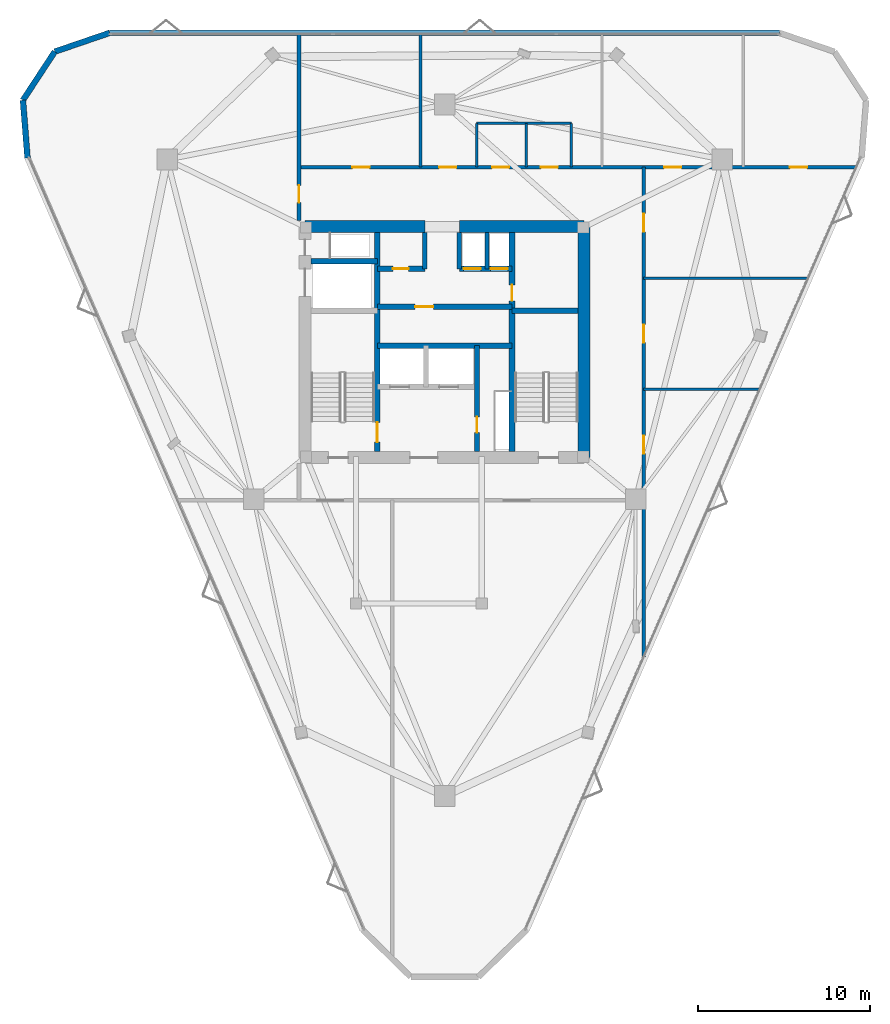
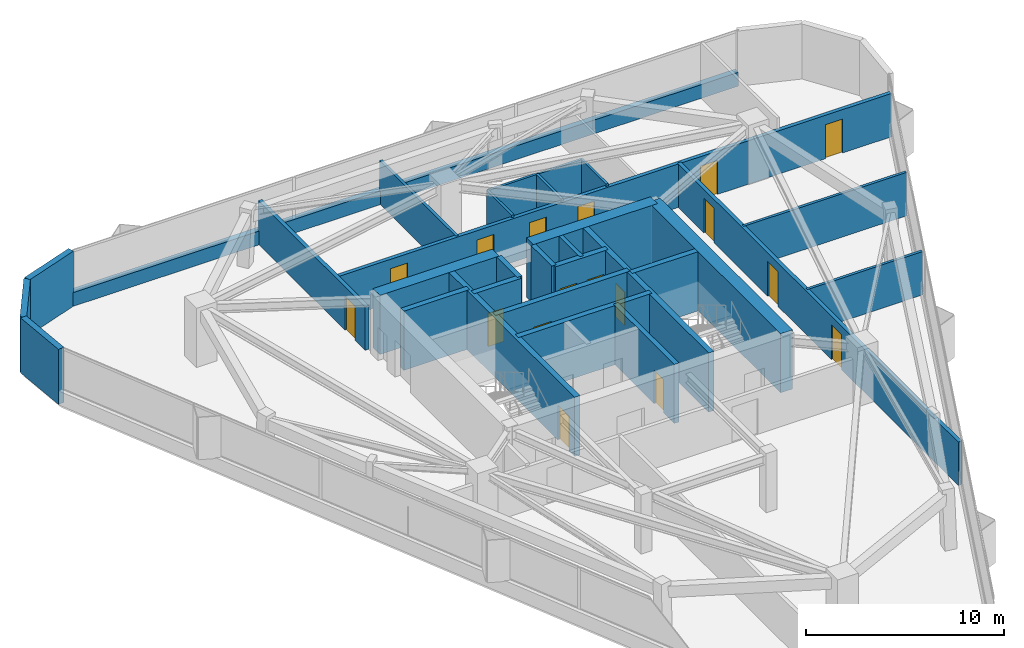
# One storey, part 8 of 10: 29 walls, 17 doors, 17 openings.
"""IFC4 building model written with IfcOpenShell, lengths in metres."""

from ifc_helpers import new_model, si_unit, direction, frame, frame_2d, origin, place, context, subcontext, project, spatial, rectangle, extrude, material, layer, layer_set, type_object, element, fill, save


model = new_model("IFC4")

# Units and contexts
model_context = context("Model", 3, precision=1e-05, world=origin(), true_north=direction((0.0, 1.0)))
body_context = subcontext(model_context, "Body", "Model", "MODEL_VIEW")
ifc_project = project(units=[si_unit("LENGTHUNIT", "METRE"), si_unit("AREAUNIT", "SQUARE_METRE"), si_unit("VOLUMEUNIT", "CUBIC_METRE"), si_unit("PLANEANGLEUNIT", "RADIAN"), si_unit("MASSUNIT", "GRAM", prefix="KILO")], contexts=[model_context])

# Site, building, storey
site_placement = place(None, origin())
site = spatial("IfcSite", under=ifc_project, at=site_placement, CompositionType="ELEMENT")
building_placement = place(site_placement, origin())
building = spatial("IfcBuilding", under=site, at=building_placement, Name="Talyreon Biosciences Tower", CompositionType="ELEMENT")
storey_placement = place(building_placement, frame((0.0, 0.0, 231.60009765625)))
storey = spatial("IfcBuildingStorey", under=building, at=storey_placement, Name="L61", CompositionType="ELEMENT", Elevation=231.60009765625)

# Walls
ifc_material_1 = material(Name="Concrete C50/60", Category="concrete")
ifc_layer_1 = layer(ifc_material_1, 0.219970703125)
ifc_layer_set_1 = layer_set([ifc_layer_1], Name="Concrete C50/60")
wall_type_1 = type_object("IfcWallType", Name="CoreShearWall_220", PredefinedType="SHEAR", material=ifc_layer_set_1)
wall_1_placement = place(storey_placement, frame((68.4599609375, 72.25, 0.0), z_axis=(0.0, 0.0, 1.0), x_axis=(0.0, 1.0, 0.0)))
element("IfcWall", 1, at=wall_1_placement, inside=storey, type_object=wall_type_1, Name="L61 Core Shaft Wall SWPHD", PredefinedType="SHEAR", context=body_context, shape_type="SweptSolid", body=[
    extrude(rectangle(XDim=2.10009765625, YDim=0.219970703125, at=frame_2d((1.050048828125, 0.0))), origin(), (0.0, 0.0, 1.0), 3.64990234375),
])
ifc_layer_2 = layer(ifc_material_1, 0.280029296875)
ifc_layer_set_2 = layer_set([ifc_layer_2], Name="Concrete C50/60")
wall_type_2 = type_object("IfcWallType", Name="CoreShearWall_280", PredefinedType="SHEAR", material=ifc_layer_set_2)
for number, where, z_axis, x_axis, name in (
    (2, (64.85009765625, 72.25, 0.0), (0.0, 0.0, 1.0), (0.0, 1.0, 0.0), "L61 Core Shaft Wall SWTHW"),
    (3, (66.85009765625, 72.25, 0.0), (0.0, 0.0, 1.0), (0.0, 1.0, 0.0), "L61 Core Shaft Wall SWTHE"),
):
    element("IfcWall", number, at=place(storey_placement, frame(where, z_axis=z_axis, x_axis=x_axis)), inside=storey, type_object=wall_type_2, Name=name, PredefinedType="SHEAR", context=body_context, shape_type="SweptSolid", body=[
        extrude(rectangle(XDim=2.10009765625, YDim=0.280029296875, at=frame_2d((1.050048828125, 0.0))), origin(), (0.0, 0.0, 1.0), 3.64990234375),
    ])

# Wall, opening, door
wall_2_placement = place(storey_placement, frame((67.8798828125, 61.64990234375, 0.0), z_axis=(0.0, 0.0, 1.0), x_axis=(0.0, 1.0, 0.0)))
wall_2 = element("IfcWall", 4, at=wall_2_placement, inside=storey, type_object=wall_type_2, Name="L61 Core Shaft Wall SWFFE", PredefinedType="SHEAR", context=body_context, shape_type="SweptSolid", body=[
    extrude(rectangle(XDim=6.150146484375, YDim=0.280029296875, at=frame_2d((3.0751953125, 0.0))), origin(), (0.0, 0.0, 1.0), 3.64990234375),
])
opening_1_placement = place(wall_2_placement, frame((1.10009765625, 0.0, 0.0)))
opening_1 = element("IfcOpeningElement", 5, at=opening_1_placement, cuts=wall_2, Name="Opening DR-L61-RSE", PredefinedType="OPENING", context=body_context, shape_type="SweptSolid", body=[
    extrude(rectangle(XDim=0.919921875, YDim=2.050048828125, at=frame_2d((0.4599609375, 1.02490234375))), frame((0.0, 0.14990234375, 0.0), z_axis=(0.0, -1.0, 0.0), x_axis=(1.0, 0.0, 0.0)), (0.0, 0.0, 1.0), 0.300048828125),
])
ifc_material_2 = material(Name="Painted steel fire-rated riser door", Category="steel")
door_type_1 = type_object("IfcDoorType", Name="RiserPlantAccessDoor_920x2050", OperationType="NOTDEFINED", PredefinedType="DOOR", material=ifc_material_2)
door_1_placement = place(opening_1_placement, origin())
door_1 = element("IfcDoor", 6, at=door_1_placement, inside=storey, type_object=door_type_1, Name="L61 Core Door DR-L61-RSE", OperationType="SINGLE_SWING_RIGHT", OverallHeight=2.050048828125, OverallWidth=0.919921875, PredefinedType="DOOR", context=body_context, shape_type="SweptSolid", body=[
    extrude(rectangle(XDim=0.919921875, YDim=2.050048828125, at=frame_2d((0.4599609375, 1.02490234375))), frame((0.0, 0.02490234375, 0.0), z_axis=(0.0, -1.0, 0.0), x_axis=(1.0, 0.0, 0.0)), (0.0, 0.0, 1.0), 0.050048828125),
])
fill(opening_1, door_1)

ifc_layer_3 = layer(ifc_material_1, 0.320068359375)
ifc_layer_set_3 = layer_set([ifc_layer_3], Name="Concrete C50/60")
wall_type_3 = type_object("IfcWallType", Name="CoreShearWall_320", PredefinedType="SHEAR", material=ifc_layer_set_3)
wall_3_placement = place(storey_placement, frame((62.090087890625, 61.64990234375, 0.0), z_axis=(0.0, 0.0, 1.0), x_axis=(0.0, 1.0, 0.0)))
wall_3 = element("IfcWall", 7, at=wall_3_placement, inside=storey, type_object=wall_type_3, Name="L61 Core Shaft Wall SW1E", PredefinedType="SHEAR", context=body_context, shape_type="SweptSolid", body=[
    extrude(rectangle(XDim=12.7001953125, YDim=0.320068359375, at=frame_2d((6.35009765625, 0.0))), origin(), (0.0, 0.0, 1.0), 3.64990234375),
])
opening_2_placement = place(wall_3_placement, frame((0.550048828125, 0.0, 0.0)))
opening_2 = element("IfcOpeningElement", 8, at=opening_2_placement, cuts=wall_3, Name="Opening DR-L61-FF-ST1", PredefinedType="OPENING", context=body_context, shape_type="SweptSolid", body=[
    extrude(rectangle(XDim=1.14990234375, YDim=2.14990234375, at=frame_2d((0.574951171875, 1.074951171875))), frame((0.0, 0.169921875, 0.0), z_axis=(0.0, -1.0, 0.0), x_axis=(1.0, 0.0, 0.0)), (0.0, 0.0, 1.0), 0.340087890625),
])
ifc_material_3 = material(Name="Painted steel fire door", Category="steel")
door_type_2 = type_object("IfcDoorType", Name="StairShaftFireDoor_1150x2150", OperationType="NOTDEFINED", PredefinedType="DOOR", material=ifc_material_3)
door_2_placement = place(opening_2_placement, origin())
door_2 = element("IfcDoor", 9, at=door_2_placement, inside=storey, type_object=door_type_2, Name="L61 Core Door DR-L61-FF-ST1", OperationType="SINGLE_SWING_LEFT", OverallHeight=2.14990234375, OverallWidth=1.14990234375, PredefinedType="DOOR", context=body_context, shape_type="SweptSolid", body=[
    extrude(rectangle(XDim=1.14990234375, YDim=2.14990234375, at=frame_2d((0.574951171875, 1.074951171875))), frame((0.0, 0.02490234375, 0.0), z_axis=(0.0, -1.0, 0.0), x_axis=(1.0, 0.0, 0.0)), (0.0, 0.0, 1.0), 0.050048828125),
])
fill(opening_2, door_2)

wall_4_placement = place(storey_placement, frame((69.909912109375, 61.64990234375, 0.0), z_axis=(0.0, 0.0, 1.0), x_axis=(0.0, 1.0, 0.0)))
wall_4 = element("IfcWall", 10, at=wall_4_placement, inside=storey, type_object=wall_type_3, Name="L61 Core Shaft Wall SW2W", PredefinedType="SHEAR", context=body_context, shape_type="SweptSolid", body=[
    extrude(rectangle(XDim=12.7001953125, YDim=0.320068359375, at=frame_2d((6.35009765625, 0.0))), origin(), (0.0, 0.0, 1.0), 3.64990234375),
])
opening_3_placement = place(wall_4_placement, frame((8.75, 0.0, 0.0)))
opening_3 = element("IfcOpeningElement", 11, at=opening_3_placement, cuts=wall_4, Name="Opening DR-L61-CSRV", PredefinedType="OPENING", context=body_context, shape_type="SweptSolid", body=[
    extrude(rectangle(XDim=0.919921875, YDim=2.050048828125, at=frame_2d((0.4599609375, 1.02490234375))), frame((0.0, 0.169921875, 0.0), z_axis=(0.0, -1.0, 0.0), x_axis=(1.0, 0.0, 0.0)), (0.0, 0.0, 1.0), 0.340087890625),
])
door_3_placement = place(opening_3_placement, origin())
door_3 = element("IfcDoor", 12, at=door_3_placement, inside=storey, type_object=door_type_1, Name="L61 Core Door DR-L61-CSRV", OperationType="SINGLE_SWING_RIGHT", OverallHeight=2.050048828125, OverallWidth=0.919921875, PredefinedType="DOOR", context=body_context, shape_type="SweptSolid", body=[
    extrude(rectangle(XDim=0.919921875, YDim=2.050048828125, at=frame_2d((0.4599609375, 1.02490234375))), frame((0.0, 0.02490234375, 0.0), z_axis=(0.0, -1.0, 0.0), x_axis=(1.0, 0.0, 0.0)), (0.0, 0.0, 1.0), 0.050048828125),
])
fill(opening_3, door_3)

# Walls
for number, where, z_axis, x_axis, name in (
    (13, (69.909912109375, 69.81005859375, 0.0), (0.0, 0.0, 1.0), (1.0, 0.0, 0.0), "L61 Core Shaft Wall SW2N"),
    (14, (58.25, 72.699951171875, 0.0), (0.0, 0.0, 1.0), (1.0, 0.0, 0.0), "L61 Core Shaft Wall SWGLN"),
):
    element("IfcWall", number, at=place(storey_placement, frame(where, z_axis=z_axis, x_axis=x_axis)), inside=storey, type_object=wall_type_3, Name=name, PredefinedType="SHEAR", context=body_context, shape_type="SweptSolid", body=[
        extrude(rectangle(XDim=3.840087890625, YDim=0.320068359375, at=frame_2d((1.919921875, 0.0))), origin(), (0.0, 0.0, 1.0), 3.64990234375),
    ])
wall_5_placement = place(storey_placement, frame((62.090087890625, 67.800048828125, 0.0), z_axis=(0.0, 0.0, 1.0), x_axis=(1.0, 0.0, 0.0)))
element("IfcWall", 15, at=wall_5_placement, inside=storey, type_object=wall_type_3, Name="L61 Core Shaft Wall SWSHM", PredefinedType="SHEAR", context=body_context, shape_type="SweptSolid", body=[
    extrude(rectangle(XDim=7.81982421875, YDim=0.320068359375, at=frame_2d((3.909912109375, 0.0))), origin(), (0.0, 0.0, 1.0), 3.64990234375),
])

# Wall, opening, door
wall_6_placement = place(storey_placement, frame((62.090087890625, 70.050048828125, 0.0), z_axis=(0.0, 0.0, 1.0), x_axis=(1.0, 0.0, 0.0)))
wall_6 = element("IfcWall", 16, at=wall_6_placement, inside=storey, type_object=wall_type_3, Name="L61 Core Shaft Wall SWSPN", PredefinedType="SHEAR", context=body_context, shape_type="SweptSolid", body=[
    extrude(rectangle(XDim=7.81982421875, YDim=0.320068359375, at=frame_2d((3.909912109375, 0.0))), origin(), (0.0, 0.0, 1.0), 3.64990234375),
])
opening_4_placement = place(wall_6_placement, frame((2.199951171875, 0.0, 0.0)))
opening_4 = element("IfcOpeningElement", 17, at=opening_4_placement, cuts=wall_6, Name="Opening DR-L61-PLPMFREE", PredefinedType="OPENING", context=body_context, shape_type="SweptSolid", body=[
    extrude(rectangle(XDim=1.050048828125, YDim=2.14990234375, at=frame_2d((0.52490234375, 1.074951171875))), frame((0.0, 0.169921875, 0.0), z_axis=(0.0, -1.0, 0.0), x_axis=(1.0, 0.0, 0.0)), (0.0, 0.0, 1.0), 0.340087890625),
])
ifc_material_4 = material(Name="Acoustic timber-core laboratory door", Category="wood")
door_type_3 = type_object("IfcDoorType", Name="DryLabSingleDoor_1050x2150", OperationType="NOTDEFINED", PredefinedType="DOOR", material=ifc_material_4)
door_4_placement = place(opening_4_placement, origin())
door_4 = element("IfcDoor", 18, at=door_4_placement, inside=storey, type_object=door_type_3, Name="L61 Core Door DR-L61-PLPMFREE", OperationType="SINGLE_SWING_LEFT", OverallHeight=2.14990234375, OverallWidth=1.050048828125, PredefinedType="DOOR", context=body_context, shape_type="SweptSolid", body=[
    extrude(rectangle(XDim=1.050048828125, YDim=2.14990234375, at=frame_2d((0.52490234375, 1.074951171875))), frame((0.0, 0.02490234375, 0.0), z_axis=(0.0, -1.0, 0.0), x_axis=(1.0, 0.0, 0.0)), (0.0, 0.0, 1.0), 0.050048828125),
])
fill(opening_4, door_4)

wall_7_placement = place(storey_placement, frame((62.090087890625, 72.25, 0.0), z_axis=(0.0, 0.0, 1.0), x_axis=(1.0, 0.0, 0.0)))
wall_7 = element("IfcWall", 19, at=wall_7_placement, inside=storey, type_object=wall_type_3, Name="L61 Core Shaft Wall SWNPW", PredefinedType="SHEAR", context=body_context, shape_type="SweptSolid", body=[
    extrude(rectangle(XDim=2.760009765625, YDim=0.320068359375, at=frame_2d((1.3798828125, 0.0))), origin(), (0.0, 0.0, 1.0), 3.64990234375),
])
opening_5_placement = place(wall_7_placement, frame((0.89990234375, 0.0, 0.0)))
opening_5 = element("IfcOpeningElement", 20, at=opening_5_placement, cuts=wall_7, Name="Opening DR-L61-PM2FREE", PredefinedType="OPENING", context=body_context, shape_type="SweptSolid", body=[
    extrude(rectangle(XDim=0.919921875, YDim=2.050048828125, at=frame_2d((0.4599609375, 1.02490234375))), frame((0.0, 0.169921875, 0.0), z_axis=(0.0, -1.0, 0.0), x_axis=(1.0, 0.0, 0.0)), (0.0, 0.0, 1.0), 0.340087890625),
])
door_5_placement = place(opening_5_placement, origin())
door_5 = element("IfcDoor", 21, at=door_5_placement, inside=storey, type_object=door_type_1, Name="L61 Core Door DR-L61-PM2FREE", OperationType="SINGLE_SWING_RIGHT", OverallHeight=2.050048828125, OverallWidth=0.919921875, PredefinedType="DOOR", context=body_context, shape_type="SweptSolid", body=[
    extrude(rectangle(XDim=0.919921875, YDim=2.050048828125, at=frame_2d((0.4599609375, 1.02490234375))), frame((0.0, 0.02490234375, 0.0), z_axis=(0.0, -1.0, 0.0), x_axis=(1.0, 0.0, 0.0)), (0.0, 0.0, 1.0), 0.050048828125),
])
fill(opening_5, door_5)

# Wall, openings, doors
wall_8_placement = place(storey_placement, frame((66.85009765625, 72.25, 0.0), z_axis=(0.0, 0.0, 1.0), x_axis=(1.0, 0.0, 0.0)))
wall_8 = element("IfcWall", 22, at=wall_8_placement, inside=storey, type_object=wall_type_3, Name="L61 Core Shaft Wall SWNPE", PredefinedType="SHEAR", context=body_context, shape_type="SweptSolid", body=[
    extrude(rectangle(XDim=3.059814453125, YDim=0.320068359375, at=frame_2d((1.52978515625, 0.0))), origin(), (0.0, 0.0, 1.0), 3.64990234375),
])
opening_6_placement = place(wall_8_placement, frame((0.25, 0.0, 0.0)))
opening_6 = element("IfcOpeningElement", 23, at=opening_6_placement, cuts=wall_8, Name="Opening LD-L61-PH1", PredefinedType="OPENING", context=body_context, shape_type="SweptSolid", body=[
    extrude(rectangle(XDim=1.0, YDim=2.199951171875, at=frame_2d((0.5, 1.10009765625))), frame((0.0, 0.169921875, 0.0), z_axis=(0.0, -1.0, 0.0), x_axis=(1.0, 0.0, 0.0)), (0.0, 0.0, 1.0), 0.340087890625),
])
opening_7_placement = place(wall_8_placement, frame((1.820068359375, 0.0, 0.0)))
opening_7 = element("IfcOpeningElement", 24, at=opening_7_placement, cuts=wall_8, Name="Opening LD-L61-PH2", PredefinedType="OPENING", context=body_context, shape_type="SweptSolid", body=[
    extrude(rectangle(XDim=1.0, YDim=2.199951171875, at=frame_2d((0.5, 1.10009765625))), frame((0.0, 0.169921875, 0.0), z_axis=(0.0, -1.0, 0.0), x_axis=(1.0, 0.0, 0.0)), (0.0, 0.0, 1.0), 0.340087890625),
])
ifc_material_5 = material(Name="Brushed stainless-steel lift landing door", Category="steel")
door_type_4 = type_object("IfcDoorType", Name="LiftSlidingLandingDoor_1100x2200", OperationType="SLIDING_TO_LEFT", PredefinedType="DOOR", material=ifc_material_5)
door_6_placement = place(opening_6_placement, origin())
door_6 = element("IfcDoor", 25, at=door_6_placement, inside=storey, type_object=door_type_4, Name="L61 Core Door LD-L61-PH1", OperationType="SLIDING_TO_LEFT", OverallHeight=2.199951171875, OverallWidth=1.0, PredefinedType="DOOR", context=body_context, shape_type="SweptSolid", body=[
    extrude(rectangle(XDim=1.0, YDim=2.199951171875, at=frame_2d((0.5, 1.10009765625))), frame((0.0, 0.02490234375, 0.0), z_axis=(0.0, -1.0, 0.0), x_axis=(1.0, 0.0, 0.0)), (0.0, 0.0, 1.0), 0.050048828125),
])
fill(opening_6, door_6)
door_7_placement = place(opening_7_placement, origin())
door_7 = element("IfcDoor", 26, at=door_7_placement, inside=storey, type_object=door_type_4, Name="L61 Core Door LD-L61-PH2", OperationType="SLIDING_TO_LEFT", OverallHeight=2.199951171875, OverallWidth=1.0, PredefinedType="DOOR", context=body_context, shape_type="SweptSolid", body=[
    extrude(rectangle(XDim=1.0, YDim=2.199951171875, at=frame_2d((0.5, 1.10009765625))), frame((0.0, 0.02490234375, 0.0), z_axis=(0.0, -1.0, 0.0), x_axis=(1.0, 0.0, 0.0)), (0.0, 0.0, 1.0), 0.050048828125),
])
fill(opening_7, door_7)

# Walls
ifc_layer_4 = layer(ifc_material_1, 0.699951171875)
ifc_layer_set_4 = layer_set([ifc_layer_4], Name="Concrete C50/60")
wall_type_4 = type_object("IfcWallType", Name="CoreShearWall_700", PredefinedType="SHEAR", material=ifc_layer_set_4)
wall_9_placement = place(storey_placement, frame((74.10009765625, 61.300048828125, 0.0), z_axis=(0.0, 0.0, 1.0), x_axis=(0.0, 1.0, 0.0)))
element("IfcWall", 27, at=wall_9_placement, inside=storey, type_object=wall_type_4, Name="L61 Core Shear Wall E", PredefinedType="SHEAR", context=body_context, shape_type="SweptSolid", body=[
    extrude(rectangle(XDim=13.39990234375, YDim=0.699951171875, at=frame_2d((6.699951171875, 0.0))), origin(), (0.0, 0.0, 1.0), 3.64990234375),
])
wall_10_placement = place(storey_placement, frame((74.10009765625, 74.699951171875, 0.0), z_axis=(0.0, 0.0, 1.0), x_axis=(-1.0, 0.0, 0.0)))
element("IfcWall", 28, at=wall_10_placement, inside=storey, type_object=wall_type_4, Name="L61 Core Shear Wall NE", PredefinedType="SHEAR", context=body_context, shape_type="SweptSolid", body=[
    extrude(rectangle(XDim=7.25, YDim=0.699951171875, at=frame_2d((3.625, 0.0))), origin(), (0.0, 0.0, 1.0), 3.64990234375),
])
wall_11_placement = place(storey_placement, frame((64.85009765625, 74.699951171875, 0.0), z_axis=(0.0, 0.0, 1.0), x_axis=(-1.0, 0.0, 0.0)))
element("IfcWall", 29, at=wall_11_placement, inside=storey, type_object=wall_type_4, Name="L61 Core Shear Wall NW", PredefinedType="SHEAR", context=body_context, shape_type="SweptSolid", body=[
    extrude(rectangle(XDim=6.9501953125, YDim=0.699951171875, at=frame_2d((3.47509765625, 0.0))), origin(), (0.0, 0.0, 1.0), 3.64990234375),
])

# Wall, openings, doors
ifc_material_6 = material(Name="Gypsum fireboard acoustic stud", Category="gypsum")
ifc_layer_5 = layer(ifc_material_6, 0.219970703125)
ifc_layer_set_5 = layer_set([ifc_layer_5], Name="Gypsum fireboard acoustic stud")
wall_type_5 = type_object("IfcWallType", Name="CorridorRatedPartition_220", PredefinedType="PARTITIONING", material=ifc_layer_set_5)
wall_12_placement = place(storey_placement, frame((57.550048828125, 78.14990234375, 0.0), z_axis=(0.0, 0.0, 1.0), x_axis=(1.0, 0.0, 0.0)))
wall_12 = element("IfcWall", 30, at=wall_12_placement, inside=storey, type_object=wall_type_5, Name="L61 Interior Wall IW-L61-COR-N", PredefinedType="PARTITIONING", context=body_context, shape_type="SweptSolid", body=[
    extrude(rectangle(XDim=32.33154296875, YDim=0.219970703125, at=frame_2d((16.165771484375, 0.0))), origin(), (0.0, 0.0, 1.0), 2.679931640625),
])
opening_8_placement = place(wall_12_placement, frame((11.2099609375, 0.0, 0.0)))
opening_8 = element("IfcOpeningElement", 31, at=opening_8_placement, cuts=wall_12, Name="Opening DR-L61-WC", PredefinedType="OPENING", context=body_context, shape_type="SweptSolid", body=[
    extrude(rectangle(XDim=0.97998046875, YDim=2.10009765625, at=frame_2d((0.489990234375, 1.050048828125))), frame((0.0, 0.119873046875, 0.0), z_axis=(0.0, -1.0, 0.0), x_axis=(1.0, 0.0, 0.0)), (0.0, 0.0, 1.0), 0.239990234375),
])
opening_9_placement = place(wall_12_placement, frame((14.034912109375, 0.0, 0.0)))
opening_9 = element("IfcOpeningElement", 32, at=opening_9_placement, cuts=wall_12, Name="Opening DR-L61-AWC", PredefinedType="OPENING", context=body_context, shape_type="SweptSolid", body=[
    extrude(rectangle(XDim=0.97998046875, YDim=2.10009765625, at=frame_2d((0.489990234375, 1.050048828125))), frame((0.0, 0.119873046875, 0.0), z_axis=(0.0, -1.0, 0.0), x_axis=(1.0, 0.0, 0.0)), (0.0, 0.0, 1.0), 0.239990234375),
])
opening_10_placement = place(wall_12_placement, frame((3.10009765625, 0.0, 0.0)))
opening_10 = element("IfcOpeningElement", 33, at=opening_10_placement, cuts=wall_12, Name="Opening DR-L61-N1A", PredefinedType="OPENING", context=body_context, shape_type="SweptSolid", body=[
    extrude(rectangle(XDim=1.0, YDim=2.10009765625, at=frame_2d((0.5, 1.050048828125))), frame((0.0, 0.119873046875, 0.0), z_axis=(0.0, -1.0, 0.0), x_axis=(1.0, 0.0, 0.0)), (0.0, 0.0, 1.0), 0.239990234375),
])
opening_11_placement = place(wall_12_placement, frame((8.135009765625, 0.0, 0.0)))
opening_11 = element("IfcOpeningElement", 34, at=opening_11_placement, cuts=wall_12, Name="Opening DR-L61-N2A", PredefinedType="OPENING", context=body_context, shape_type="SweptSolid", body=[
    extrude(rectangle(XDim=1.0, YDim=2.10009765625, at=frame_2d((0.5, 1.050048828125))), frame((0.0, 0.119873046875, 0.0), z_axis=(0.0, -1.0, 0.0), x_axis=(1.0, 0.0, 0.0)), (0.0, 0.0, 1.0), 0.239990234375),
])
opening_12_placement = place(wall_12_placement, frame((21.18701171875, 0.0, 0.0)))
opening_12 = element("IfcOpeningElement", 35, at=opening_12_placement, cuts=wall_12, Name="Opening DR-L61-N3A", PredefinedType="OPENING", context=body_context, shape_type="SweptSolid", body=[
    extrude(rectangle(XDim=1.0, YDim=2.10009765625, at=frame_2d((0.5, 1.050048828125))), frame((0.0, 0.119873046875, 0.0), z_axis=(0.0, -1.0, 0.0), x_axis=(1.0, 0.0, 0.0)), (0.0, 0.0, 1.0), 0.239990234375),
])
opening_13_placement = place(wall_12_placement, frame((28.48291015625, 0.0, 0.0)))
opening_13 = element("IfcOpeningElement", 36, at=opening_13_placement, cuts=wall_12, Name="Opening DR-L61-N4A", PredefinedType="OPENING", context=body_context, shape_type="SweptSolid", body=[
    extrude(rectangle(XDim=1.0, YDim=2.10009765625, at=frame_2d((0.5, 1.050048828125))), frame((0.0, 0.119873046875, 0.0), z_axis=(0.0, -1.0, 0.0), x_axis=(1.0, 0.0, 0.0)), (0.0, 0.0, 1.0), 0.239990234375),
])
ifc_material_7 = material(Name="Laminate moisture-resistant door", Category="wood")
door_type_5 = type_object("IfcDoorType", Name="AccessibleToiletDoor_980x2100", OperationType="NOTDEFINED", PredefinedType="DOOR", material=ifc_material_7)
door_8_placement = place(opening_8_placement, origin())
door_8 = element("IfcDoor", 37, at=door_8_placement, inside=storey, type_object=door_type_5, Name="L61 Interior Door DR-L61-WC", OperationType="SINGLE_SWING_LEFT", OverallHeight=2.10009765625, OverallWidth=0.97998046875, PredefinedType="DOOR", context=body_context, shape_type="SweptSolid", body=[
    extrude(rectangle(XDim=0.97998046875, YDim=2.10009765625, at=frame_2d((0.489990234375, 1.050048828125))), frame((0.0, 0.02490234375, 0.0), z_axis=(0.0, -1.0, 0.0), x_axis=(1.0, 0.0, 0.0)), (0.0, 0.0, 1.0), 0.050048828125),
])
fill(opening_8, door_8)
door_9_placement = place(opening_9_placement, origin())
door_9 = element("IfcDoor", 38, at=door_9_placement, inside=storey, type_object=door_type_5, Name="L61 Interior Door DR-L61-AWC", OperationType="SINGLE_SWING_LEFT", OverallHeight=2.10009765625, OverallWidth=0.97998046875, PredefinedType="DOOR", context=body_context, shape_type="SweptSolid", body=[
    extrude(rectangle(XDim=0.97998046875, YDim=2.10009765625, at=frame_2d((0.489990234375, 1.050048828125))), frame((0.0, 0.02490234375, 0.0), z_axis=(0.0, -1.0, 0.0), x_axis=(1.0, 0.0, 0.0)), (0.0, 0.0, 1.0), 0.050048828125),
])
fill(opening_9, door_9)
ifc_material_8 = material(Name="Acoustic oak veneer office door", Category="wood")
door_type_6 = type_object("IfcDoorType", Name="WriteupOfficeDoor_1000x2100", OperationType="NOTDEFINED", PredefinedType="DOOR", material=ifc_material_8)
door_10_placement = place(opening_10_placement, origin())
door_10 = element("IfcDoor", 39, at=door_10_placement, inside=storey, type_object=door_type_6, Name="L61 Interior Door DR-L61-N1A", OperationType="SINGLE_SWING_LEFT", OverallHeight=2.10009765625, OverallWidth=1.0, PredefinedType="DOOR", context=body_context, shape_type="SweptSolid", body=[
    extrude(rectangle(XDim=1.0, YDim=2.10009765625, at=frame_2d((0.5, 1.050048828125))), frame((0.0, 0.02490234375, 0.0), z_axis=(0.0, -1.0, 0.0), x_axis=(1.0, 0.0, 0.0)), (0.0, 0.0, 1.0), 0.050048828125),
])
fill(opening_10, door_10)
door_11_placement = place(opening_11_placement, origin())
door_11 = element("IfcDoor", 40, at=door_11_placement, inside=storey, type_object=door_type_6, Name="L61 Interior Door DR-L61-N2A", OperationType="SINGLE_SWING_RIGHT", OverallHeight=2.10009765625, OverallWidth=1.0, PredefinedType="DOOR", context=body_context, shape_type="SweptSolid", body=[
    extrude(rectangle(XDim=1.0, YDim=2.10009765625, at=frame_2d((0.5, 1.050048828125))), frame((0.0, 0.02490234375, 0.0), z_axis=(0.0, -1.0, 0.0), x_axis=(1.0, 0.0, 0.0)), (0.0, 0.0, 1.0), 0.050048828125),
])
fill(opening_11, door_11)
door_12_placement = place(opening_12_placement, origin())
door_12 = element("IfcDoor", 41, at=door_12_placement, inside=storey, type_object=door_type_6, Name="L61 Interior Door DR-L61-N3A", OperationType="SINGLE_SWING_LEFT", OverallHeight=2.10009765625, OverallWidth=1.0, PredefinedType="DOOR", context=body_context, shape_type="SweptSolid", body=[
    extrude(rectangle(XDim=1.0, YDim=2.10009765625, at=frame_2d((0.5, 1.050048828125))), frame((0.0, 0.02490234375, 0.0), z_axis=(0.0, -1.0, 0.0), x_axis=(1.0, 0.0, 0.0)), (0.0, 0.0, 1.0), 0.050048828125),
])
fill(opening_12, door_12)
door_13_placement = place(opening_13_placement, origin())
door_13 = element("IfcDoor", 42, at=door_13_placement, inside=storey, type_object=door_type_6, Name="L61 Interior Door DR-L61-N4A", OperationType="SINGLE_SWING_RIGHT", OverallHeight=2.10009765625, OverallWidth=1.0, PredefinedType="DOOR", context=body_context, shape_type="SweptSolid", body=[
    extrude(rectangle(XDim=1.0, YDim=2.10009765625, at=frame_2d((0.5, 1.050048828125))), frame((0.0, 0.02490234375, 0.0), z_axis=(0.0, -1.0, 0.0), x_axis=(1.0, 0.0, 0.0)), (0.0, 0.0, 1.0), 0.050048828125),
])
fill(opening_13, door_13)

# Wall, opening, door
wall_13_placement = place(storey_placement, frame((57.550048828125, 75.050048828125, 0.0), z_axis=(0.0, 0.0, 1.0), x_axis=(0.0, 1.0, 0.0)))
wall_13 = element("IfcWall", 43, at=wall_13_placement, inside=storey, type_object=wall_type_5, Name="L61 Interior Wall IW-L61-WCAP-N", PredefinedType="PARTITIONING", context=body_context, shape_type="SweptSolid", body=[
    extrude(rectangle(XDim=10.81640625, YDim=0.219970703125, at=frame_2d((5.408203125, 0.0))), origin(), (0.0, 0.0, 1.0), 2.679931640625),
])
opening_14_placement = place(wall_13_placement, frame((1.050048828125, 0.0, 0.0)))
opening_14 = element("IfcOpeningElement", 44, at=opening_14_placement, cuts=wall_13, Name="Opening DR-L61-W1A", PredefinedType="OPENING", context=body_context, shape_type="SweptSolid", body=[
    extrude(rectangle(XDim=1.0, YDim=2.10009765625, at=frame_2d((0.5, 1.050048828125))), frame((0.0, 0.119873046875, 0.0), z_axis=(0.0, -1.0, 0.0), x_axis=(1.0, 0.0, 0.0)), (0.0, 0.0, 1.0), 0.239990234375),
])
door_14_placement = place(opening_14_placement, origin())
door_14 = element("IfcDoor", 45, at=door_14_placement, inside=storey, type_object=door_type_6, Name="L61 Interior Door DR-L61-W1A", OperationType="SINGLE_SWING_LEFT", OverallHeight=2.10009765625, OverallWidth=1.0, PredefinedType="DOOR", context=body_context, shape_type="SweptSolid", body=[
    extrude(rectangle(XDim=1.0, YDim=2.10009765625, at=frame_2d((0.5, 1.050048828125))), frame((0.0, 0.02490234375, 0.0), z_axis=(0.0, -1.0, 0.0), x_axis=(1.0, 0.0, 0.0)), (0.0, 0.0, 1.0), 0.050048828125),
])
fill(opening_14, door_14)

# Wall, openings, doors
wall_14_placement = place(storey_placement, frame((77.550048828125, 49.7353515625, 0.0), z_axis=(0.0, 0.0, 1.0), x_axis=(0.0, 1.0, 0.0)))
wall_14 = element("IfcWall", 46, at=wall_14_placement, inside=storey, type_object=wall_type_5, Name="L61 Interior Wall IW-L61-COR-E", PredefinedType="PARTITIONING", context=body_context, shape_type="SweptSolid", body=[
    extrude(rectangle(XDim=28.41455078125, YDim=0.219970703125, at=frame_2d((14.207275390625, 0.0))), origin(), (0.0, 0.0, 1.0), 2.679931640625),
])
opening_15_placement = place(wall_14_placement, frame((11.7900390625, 0.0, 0.0)))
opening_15 = element("IfcOpeningElement", 47, at=opening_15_placement, cuts=wall_14, Name="Opening DR-L61-E1A", PredefinedType="OPENING", context=body_context, shape_type="SweptSolid", body=[
    extrude(rectangle(XDim=1.050048828125, YDim=2.14990234375, at=frame_2d((0.52490234375, 1.074951171875))), frame((0.0, 0.119873046875, 0.0), z_axis=(0.0, -1.0, 0.0), x_axis=(1.0, 0.0, 0.0)), (0.0, 0.0, 1.0), 0.239990234375),
])
opening_16_placement = place(wall_14_placement, frame((18.22998046875, 0.0, 0.0)))
opening_16 = element("IfcOpeningElement", 48, at=opening_16_placement, cuts=wall_14, Name="Opening DR-L61-E2A", PredefinedType="OPENING", context=body_context, shape_type="SweptSolid", body=[
    extrude(rectangle(XDim=1.050048828125, YDim=2.14990234375, at=frame_2d((0.52490234375, 1.074951171875))), frame((0.0, 0.119873046875, 0.0), z_axis=(0.0, -1.0, 0.0), x_axis=(1.0, 0.0, 0.0)), (0.0, 0.0, 1.0), 0.239990234375),
])
opening_17_placement = place(wall_14_placement, frame((24.669921875, 0.0, 0.0)))
opening_17 = element("IfcOpeningElement", 49, at=opening_17_placement, cuts=wall_14, Name="Opening DR-L61-E3A", PredefinedType="OPENING", context=body_context, shape_type="SweptSolid", body=[
    extrude(rectangle(XDim=1.050048828125, YDim=2.14990234375, at=frame_2d((0.52490234375, 1.074951171875))), frame((0.0, 0.119873046875, 0.0), z_axis=(0.0, -1.0, 0.0), x_axis=(1.0, 0.0, 0.0)), (0.0, 0.0, 1.0), 0.239990234375),
])
door_15_placement = place(opening_15_placement, origin())
door_15 = element("IfcDoor", 50, at=door_15_placement, inside=storey, type_object=door_type_3, Name="L61 Interior Door DR-L61-E1A", OperationType="SINGLE_SWING_LEFT", OverallHeight=2.14990234375, OverallWidth=1.050048828125, PredefinedType="DOOR", context=body_context, shape_type="SweptSolid", body=[
    extrude(rectangle(XDim=1.050048828125, YDim=2.14990234375, at=frame_2d((0.52490234375, 1.074951171875))), frame((0.0, 0.02490234375, 0.0), z_axis=(0.0, -1.0, 0.0), x_axis=(1.0, 0.0, 0.0)), (0.0, 0.0, 1.0), 0.050048828125),
])
fill(opening_15, door_15)
door_16_placement = place(opening_16_placement, origin())
door_16 = element("IfcDoor", 51, at=door_16_placement, inside=storey, type_object=door_type_3, Name="L61 Interior Door DR-L61-E2A", OperationType="SINGLE_SWING_RIGHT", OverallHeight=2.14990234375, OverallWidth=1.050048828125, PredefinedType="DOOR", context=body_context, shape_type="SweptSolid", body=[
    extrude(rectangle(XDim=1.050048828125, YDim=2.14990234375, at=frame_2d((0.52490234375, 1.074951171875))), frame((0.0, 0.02490234375, 0.0), z_axis=(0.0, -1.0, 0.0), x_axis=(1.0, 0.0, 0.0)), (0.0, 0.0, 1.0), 0.050048828125),
])
fill(opening_16, door_16)
door_17_placement = place(opening_17_placement, origin())
door_17 = element("IfcDoor", 52, at=door_17_placement, inside=storey, type_object=door_type_3, Name="L61 Interior Door DR-L61-E3A", OperationType="SINGLE_SWING_LEFT", OverallHeight=2.14990234375, OverallWidth=1.050048828125, PredefinedType="DOOR", context=body_context, shape_type="SweptSolid", body=[
    extrude(rectangle(XDim=1.050048828125, YDim=2.14990234375, at=frame_2d((0.52490234375, 1.074951171875))), frame((0.0, 0.02490234375, 0.0), z_axis=(0.0, -1.0, 0.0), x_axis=(1.0, 0.0, 0.0)), (0.0, 0.0, 1.0), 0.050048828125),
])
fill(opening_17, door_17)

# Walls
ifc_material_9 = material(Name="Gypsum acoustic stud partition", Category="gypsum")
ifc_layer_6 = layer(ifc_material_9, 0.159912109375)
ifc_layer_set_6 = layer_set([ifc_layer_6], Name="Gypsum acoustic stud partition")
wall_type_6 = type_object("IfcWallType", Name="LabSeparationPartition_160", PredefinedType="PARTITIONING", material=ifc_layer_set_6)
wall_15_placement = place(storey_placement, frame((64.60009765625, 78.14990234375, 0.0), z_axis=(0.0, 0.0, 1.0), x_axis=(0.0, 1.0, 0.0)))
element("IfcWall", 53, at=wall_15_placement, inside=storey, type_object=wall_type_6, Name="L61 Interior Wall IW-L61-NDIV1", PredefinedType="PARTITIONING", context=body_context, shape_type="SweptSolid", body=[
    extrude(rectangle(XDim=7.716552734375, YDim=0.159912109375, at=frame_2d((3.8583984375, 0.0))), origin(), (0.0, 0.0, 1.0), 2.679931640625),
])
wall_16_placement = place(storey_placement, frame((77.550048828125, 65.27001953125, 0.0), z_axis=(0.0, 0.0, 1.0), x_axis=(1.0, 0.0, 0.0)))
element("IfcWall", 54, at=wall_16_placement, inside=storey, type_object=wall_type_6, Name="L61 Interior Wall IW-L61-EDIV1", PredefinedType="PARTITIONING", context=body_context, shape_type="SweptSolid", body=[
    extrude(rectangle(XDim=6.74169921875, YDim=0.159912109375, at=frame_2d((3.370849609375, 0.0))), origin(), (0.0, 0.0, 1.0), 2.679931640625),
])
wall_17_placement = place(storey_placement, frame((77.550048828125, 71.7099609375, 0.0), z_axis=(0.0, 0.0, 1.0), x_axis=(1.0, 0.0, 0.0)))
element("IfcWall", 55, at=wall_17_placement, inside=storey, type_object=wall_type_6, Name="L61 Interior Wall IW-L61-EDIV2", PredefinedType="PARTITIONING", context=body_context, shape_type="SweptSolid", body=[
    extrude(rectangle(XDim=9.53662109375, YDim=0.159912109375, at=frame_2d((4.768310546875, 0.0))), origin(), (0.0, 0.0, 1.0), 2.679931640625),
])
ifc_material_10 = material(Name="Precast concrete C45/55", Category="concrete")
ifc_layer_7 = layer(ifc_material_10, 0.340087890625)
ifc_layer_set_7 = layer_set([ifc_layer_7], Name="Precast concrete C45/55")
wall_type_7 = type_object("IfcWallType", Name="PrecastConcreteSpandrelWall_340", PredefinedType="STANDARD", material=ifc_layer_set_7)
for number, where, z_axis, x_axis, name in (
    (56, (41.795166015625, 78.681396484375, 0.0), (0.0, 0.0, 1.0), (-0.079316248105, 0.996849503579, 0.0), "L61 Rounded-Corner Concrete Pier 01"),
    (57, (41.52783203125, 82.041259765625, 0.0), (0.0, 0.0, 1.0), (0.54858365387, 0.836095673177, 0.0), "L61 Rounded-Corner Concrete Pier 02"),
):
    element("IfcWall", number, at=place(storey_placement, frame(where, z_axis=z_axis, x_axis=x_axis)), inside=storey, type_object=wall_type_7, Name=name, PredefinedType="STANDARD", context=body_context, shape_type="SweptSolid", body=[
        extrude(rectangle(XDim=3.370361328125, YDim=0.340087890625, at=frame_2d((1.68505859375, 0.0))), origin(), (0.0, 0.0, 1.0), 3.39990234375),
    ])
wall_18_placement = place(storey_placement, frame((43.376708984375, 84.859130859375, 0.0), z_axis=(0.0, 0.0, 1.0), x_axis=(0.946036065973, 0.324061355115, 0.0)))
element("IfcWall", 58, at=wall_18_placement, inside=storey, type_object=wall_type_7, Name="L61 Rounded-Corner Concrete Pier 03", PredefinedType="STANDARD", context=body_context, shape_type="SweptSolid", body=[
    extrude(rectangle(XDim=3.37060546875, YDim=0.340087890625, at=frame_2d((1.685302734375, 0.0))), origin(), (0.0, 0.0, 1.0), 3.39990234375),
])
wall_19_placement = place(storey_placement, frame((46.5654296875, 85.951416015625, 0.0), z_axis=(0.0, 0.0, 1.0), x_axis=(1.0, 0.0, 0.0)))
element("IfcWall", 59, at=wall_19_placement, inside=storey, type_object=wall_type_7, Name="L61 Expressed Concrete Sill Wall 04", PredefinedType="STANDARD", context=body_context, shape_type="SweptSolid", body=[
    extrude(rectangle(XDim=38.869140625, YDim=0.340087890625, at=frame_2d((19.4345703125, 0.0))), origin(), (0.0, 0.0, 1.0), 0.849853515625),
])
ifc_material_11 = material(Name="Moisture-resistant cement-board stud", Category="gypsum")
ifc_layer_8 = layer(ifc_material_11, 0.14501953125)
ifc_layer_set_8 = layer_set([ifc_layer_8], Name="Moisture-resistant cement-board stud")
wall_type_8 = type_object("IfcWallType", Name="WetRoomPartition_145", PredefinedType="PARTITIONING", material=ifc_layer_set_8)
for number, where, z_axis, x_axis, name in (
    (60, (67.85009765625, 78.14990234375, 0.0), (0.0, 0.0, 1.0), (0.0, 1.0, 0.0), "L61 Interior Wall IW-L61-WCL"),
    (61, (70.72509765625, 78.14990234375, 0.0), (0.0, 0.0, 1.0), (0.0, 1.0, 0.0), "L61 Interior Wall IW-L61-WCM"),
    (62, (73.35009765625, 78.14990234375, 0.0), (0.0, 0.0, 1.0), (0.0, 1.0, 0.0), "L61 Interior Wall IW-L61-WCR"),
):
    element("IfcWall", number, at=place(storey_placement, frame(where, z_axis=z_axis, x_axis=x_axis)), inside=storey, type_object=wall_type_8, Name=name, PredefinedType="PARTITIONING", context=body_context, shape_type="SweptSolid", body=[
        extrude(rectangle(XDim=2.550048828125, YDim=0.14501953125, at=frame_2d((1.27490234375, 0.0))), origin(), (0.0, 0.0, 1.0), 2.829833984375),
    ])
wall_20_placement = place(storey_placement, frame((67.85009765625, 80.699951171875, 0.0), z_axis=(0.0, 0.0, 1.0), x_axis=(1.0, 0.0, 0.0)))
element("IfcWall", 63, at=wall_20_placement, inside=storey, type_object=wall_type_8, Name="L61 Interior Wall IW-L61-WCT", PredefinedType="PARTITIONING", context=body_context, shape_type="SweptSolid", body=[
    extrude(rectangle(XDim=5.5, YDim=0.14501953125, at=frame_2d((2.75, 0.0))), origin(), (0.0, 0.0, 1.0), 2.829833984375),
])

save(model, "model.ifc")
